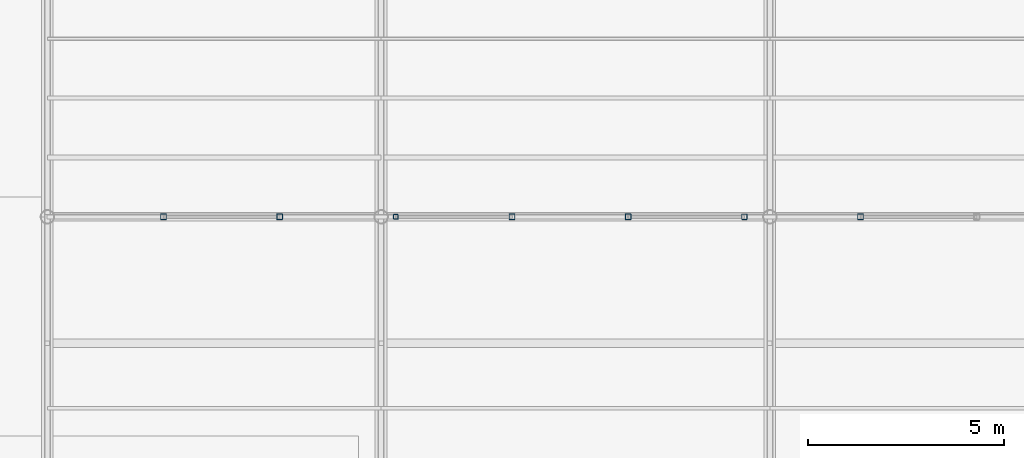
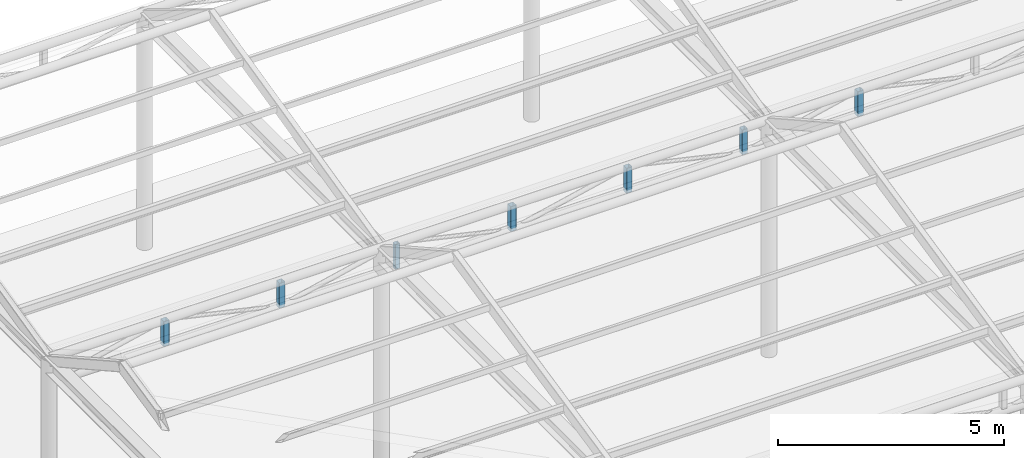
# One storey, part 65 of 118: 7 members.
"""IFC4 building model written with IfcOpenShell, lengths in metres."""

from ifc_helpers import new_model, si_unit, direction, frame, origin, origin_2d, place, context, subcontext, project, spatial, hollow_rectangle, extrude, material, material_profile, profile_set, type_object, element, save


model = new_model("IFC4")

# Units and contexts
model_context = context("Model", 3, precision=1e-05, world=origin(), true_north=direction((0.0, 1.0)))
body_context = subcontext(model_context, "Body", "Model", "MODEL_VIEW")
ifc_project = project(units=[si_unit("LENGTHUNIT", "METRE"), si_unit("AREAUNIT", "SQUARE_METRE"), si_unit("VOLUMEUNIT", "CUBIC_METRE"), si_unit("PLANEANGLEUNIT", "RADIAN"), si_unit("MASSUNIT", "GRAM", prefix="KILO")], contexts=[model_context])

# Site, building, storey
site_placement = place(None, origin())
site = spatial("IfcSite", under=ifc_project, at=site_placement, CompositionType="ELEMENT")
building_placement = place(site_placement, origin())
building = spatial("IfcBuilding", under=site, at=building_placement, Name="Kolvaren Corner Interchange", CompositionType="ELEMENT")
storey_placement = place(building_placement, origin())
storey = spatial("IfcBuildingStorey", under=building, at=storey_placement, Name="L01", CompositionType="ELEMENT", Elevation=0.0)

# Members
ifc_material_1 = material(Name="Steel S355", Category="steel")
ifc_material_profile_1 = material_profile(ifc_material_1, hollow_rectangle(XDim=0.1201171875, YDim=0.1201171875, WallThickness=0.00634765625, InnerFilletRadius=0.00634765625, OuterFilletRadius=0.0126953125, at=origin_2d()), Name="SHS 120x120x6.3")
ifc_profile_set_1 = profile_set([ifc_material_profile_1], Name="Steel S355")
member_type_1 = type_object("IfcMemberType", Name="MEM-PT-SHS120", PredefinedType="POST", material=ifc_profile_set_1)
member_1_placement = place(storey_placement, frame((136.875, 101.5, 5.64990234375), z_axis=(0.0, 0.0, 1.0), x_axis=(1.0, 0.0, 0.0)))
element("IfcMember", 1, at=member_1_placement, inside=storey, type_object=member_type_1, Name="Bus Canopy Sawtooth Roof Truss 06 Web Post 04", PredefinedType="POST", context=body_context, shape_type="SweptSolid", body=[
    extrude(hollow_rectangle(XDim=0.1201171875, YDim=0.1201171875, WallThickness=0.00634765625, InnerFilletRadius=0.00634765625, OuterFilletRadius=0.0126953125, at=origin_2d()), origin(), (0.0, 0.0, 1.0), 0.670166015625),
])
ifc_material_2 = material(Name="Steel S355", Category="steel")
ifc_material_profile_2 = material_profile(ifc_material_2, hollow_rectangle(XDim=0.139892578125, YDim=0.139892578125, WallThickness=0.008056640625, InnerFilletRadius=0.008056640625, OuterFilletRadius=0.01611328125, at=origin_2d()), Name="SHS 140x140x8.0")
ifc_profile_set_2 = profile_set([ifc_material_profile_2], Name="Steel S355")
member_type_2 = type_object("IfcMemberType", Name="MEM-PT-SHS140", PredefinedType="POST", material=ifc_profile_set_2)
member_2_placement = place(storey_placement, frame((145.75, 101.5, 5.64990234375), z_axis=(0.0, 0.0, 1.0), x_axis=(1.0, 0.0, 0.0)))
element("IfcMember", 2, at=member_2_placement, inside=storey, type_object=member_type_2, Name="Bus Canopy Sawtooth Roof Truss 06 Web Post 07", PredefinedType="POST", context=body_context, shape_type="SweptSolid", body=[
    extrude(hollow_rectangle(XDim=0.139892578125, YDim=0.139892578125, WallThickness=0.008056640625, InnerFilletRadius=0.008056640625, OuterFilletRadius=0.01611328125, at=origin_2d()), origin(), (0.0, 0.0, 1.0), 0.670166015625),
])
ifc_material_3 = material(Name="Steel S355", Category="steel")
ifc_material_profile_3 = material_profile(ifc_material_3, hollow_rectangle(XDim=0.14990234375, YDim=0.14990234375, WallThickness=0.008056640625, InnerFilletRadius=0.008056640625, OuterFilletRadius=0.01611328125, at=origin_2d()), Name="SHS 150x150x8.0")
ifc_profile_set_3 = profile_set([ifc_material_profile_3], Name="Steel S355")
member_type_3 = type_object("IfcMemberType", Name="MEM-PT-SHS150", PredefinedType="POST", material=ifc_profile_set_3)
for number, where, z_axis, x_axis, name in (
    (3, (130.958251953125, 101.5, 5.64990234375), (0.0, 0.0, 1.0), (1.0, 0.0, 0.0), "Bus Canopy Sawtooth Roof Truss 06 Web Post 02"),
    (4, (133.916748046875, 101.5, 5.64990234375), (0.0, 0.0, 1.0), (1.0, 0.0, 0.0), "Bus Canopy Sawtooth Roof Truss 06 Web Post 03"),
    (5, (139.833251953125, 101.5, 5.64990234375), (0.0, 0.0, 1.0), (1.0, 0.0, 0.0), "Bus Canopy Sawtooth Roof Truss 06 Web Post 05"),
    (6, (142.791748046875, 101.5, 5.64990234375), (0.0, 0.0, 1.0), (1.0, 0.0, 0.0), "Bus Canopy Sawtooth Roof Truss 06 Web Post 06"),
    (7, (148.708251953125, 101.5, 5.64990234375), (0.0, 0.0, 1.0), (1.0, 0.0, 0.0), "Bus Canopy Sawtooth Roof Truss 06 Web Post 08"),
):
    element("IfcMember", number, at=place(storey_placement, frame(where, z_axis=z_axis, x_axis=x_axis)), inside=storey, type_object=member_type_3, Name=name, PredefinedType="POST", context=body_context, shape_type="SweptSolid", body=[
        extrude(hollow_rectangle(XDim=0.14990234375, YDim=0.14990234375, WallThickness=0.008056640625, InnerFilletRadius=0.008056640625, OuterFilletRadius=0.01611328125, at=origin_2d()), origin(), (0.0, 0.0, 1.0), 0.670166015625),
    ])

save(model, "model.ifc")
